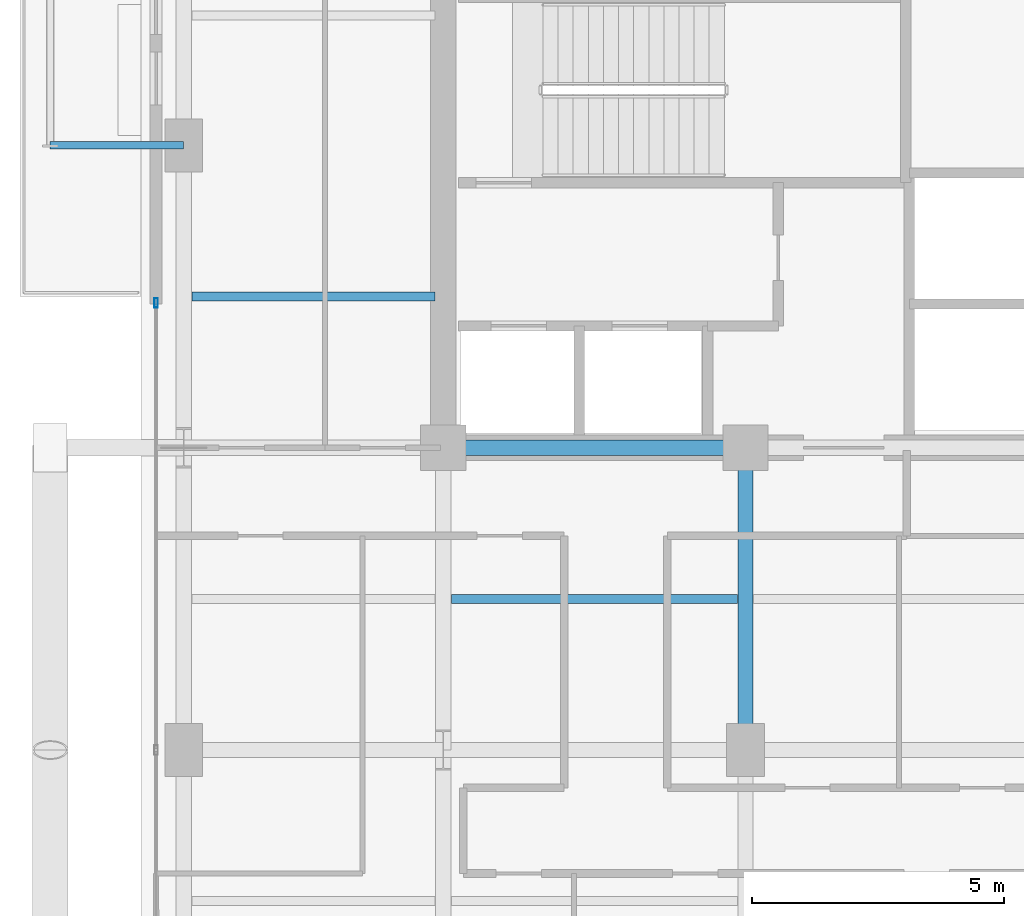
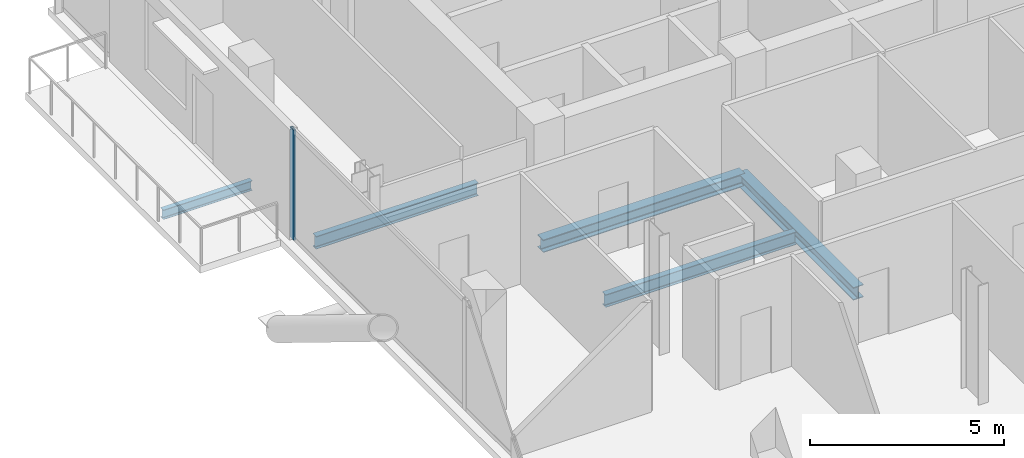
# One storey, part 7 of 26: 5 beams, 1 member, 1 element without a shape of its own.
"""IFC4 building model written with IfcOpenShell, lengths in metres."""

import ifcopenshell
import ifcopenshell.guid

model = None  # the IFC model being written
_history = None  # IfcOwnerHistory: only IFC2X3 demands one
_inside = {}  # id of a spatial element -> (the spatial element, [elements in it])
_under = {}  # id of a project, library or spatial element -> (it, [spatial elements below it])
_declared = {}  # id of a project -> (the project, [libraries it declares])
_typed = {}  # id of a type object -> (the type object, [elements of that type])
_made_of = {}  # id of a material, layer set ... -> (it, [elements and type objects made of it])


def new_model(schema):
    """Start an empty IFC model of exactly this schema.

    Asked for "IFC4X3", IfcOpenShell would pick the latest addendum, in which some entities
    have other attributes; the version numbers below select the first issue.
    IFC2X3 requires an IfcOwnerHistory on every rooted entity: one is made here for all.
    """
    global model, _history
    if schema == "IFC4X3":
        model = ifcopenshell.file(schema_version=(4, 3, 0, 0))
    else:
        model = ifcopenshell.file(schema=schema)
    _inside.clear()
    _under.clear()
    _declared.clear()
    _typed.clear()
    _made_of.clear()
    _history = None
    if model.schema == "IFC2X3":
        org = make("IfcOrganization", Name="unknown")
        user = make(
            "IfcPersonAndOrganization",
            ThePerson=make("IfcPerson", FamilyName="unknown"),
            TheOrganization=org,
        )
        app = make(
            "IfcApplication",
            ApplicationDeveloper=org,
            Version="unknown",
            ApplicationFullName="unknown",
            ApplicationIdentifier="unknown",
        )
        _history = make(
            "IfcOwnerHistory",
            OwningUser=user,
            OwningApplication=app,
            ChangeAction="ADDED",
            CreationDate=0,
        )
    return model


def make(cls, **values):
    """One entity of the class cls with the attributes given. An attribute that is None is left unset."""
    return model.create_entity(
        cls, **{name: value for name, value in values.items() if value is not None}
    )


def rooted(cls, **values):
    """An entity with a GlobalId (a new one), such as an element, a storey or a relation."""
    return make(cls, GlobalId=ifcopenshell.guid.new(), OwnerHistory=_history, **values)


def si_unit(unit_type, name, prefix=None):
    """IfcSIUnit, for example si_unit("LENGTHUNIT", "METRE", prefix="MILLI")."""
    return make("IfcSIUnit", UnitType=unit_type, Prefix=prefix, Name=name)


def assignment(units):
    """IfcUnitAssignment: the units of a project."""
    return None if units is None else make("IfcUnitAssignment", Units=units)


def point(xyz):
    """IfcCartesianPoint."""
    return None if xyz is None else make("IfcCartesianPoint", Coordinates=xyz)


def direction(xyz):
    """IfcDirection."""
    return None if xyz is None else make("IfcDirection", DirectionRatios=xyz)


def frame(location, z_axis=None, x_axis=None):
    """IfcAxis2Placement3D, a coordinate frame: its origin and axes. An axis left out is left unset."""
    return make(
        "IfcAxis2Placement3D",
        Location=point(location),
        Axis=direction(z_axis),
        RefDirection=direction(x_axis),
    )


def frame_2d(location, x_axis=None):
    """IfcAxis2Placement2D, a coordinate frame in the plane: its origin and x axis."""
    return make(
        "IfcAxis2Placement2D", Location=point(location), RefDirection=direction(x_axis)
    )


def origin():
    """The frame at (0, 0, 0) with its axes left unset."""
    return frame((0.0, 0.0, 0.0))


def origin_2d():
    """The frame at (0, 0) in the plane with its x axis left unset."""
    return frame_2d((0.0, 0.0))


def place(relative_to, where):
    """IfcLocalPlacement: puts the frame where relative to a parent placement (None: the world)."""
    return make(
        "IfcLocalPlacement", PlacementRelTo=relative_to, RelativePlacement=where
    )


def context(
    kind, dimensions, precision=None, world=None, true_north=None, identifier=None
):
    """IfcGeometricRepresentationContext, for example the 3D "Model" context."""
    return make(
        "IfcGeometricRepresentationContext",
        ContextIdentifier=identifier,
        ContextType=kind,
        CoordinateSpaceDimension=dimensions,
        Precision=precision,
        WorldCoordinateSystem=world,
        TrueNorth=true_north,
    )


def subcontext(parent, identifier, kind, view, scale=None):
    """IfcGeometricRepresentationSubContext, for example "Body" below "Model"."""
    return make(
        "IfcGeometricRepresentationSubContext",
        ContextIdentifier=identifier,
        ContextType=kind,
        ParentContext=parent,
        TargetScale=scale,
        TargetView=view,
    )


def project(units=None, contexts=None):
    """IfcProject with its units and contexts."""
    return rooted(
        "IfcProject",
        Name="project",
        RepresentationContexts=contexts,
        UnitsInContext=assignment(units),
    )


def spatial(cls, under=None, at=None, **own):
    """A site, building, storey or space (cls), placed at a placement, below another one or the project."""
    s = rooted(cls, ObjectPlacement=at, **own)
    if under is not None:
        _under.setdefault(under.id(), (under, []))[1].append(s)
    return s


def profile(cls, at=None, kind="AREA", **sizes):
    """A parametric profile (cls). Its sizes go by their IFC names, for example OverallWidth=200.0."""
    return make(cls, ProfileType=kind, Position=at, **sizes)


def hollow_rectangle(**sizes):
    """IfcRectangleHollowProfileDef."""
    return profile("IfcRectangleHollowProfileDef", **sizes)


def i_section(**sizes):
    """IfcIShapeProfileDef."""
    return profile("IfcIShapeProfileDef", **sizes)


def extrude(swept, where, along, depth):
    """IfcExtrudedAreaSolid: the profile swept, set in the frame where, extruded along a direction by depth."""
    return make(
        "IfcExtrudedAreaSolid",
        SweptArea=swept,
        Position=where,
        ExtrudedDirection=direction(along),
        Depth=depth,
    )


def shape(context_of_items, identifier, shape_type, items):
    """IfcShapeRepresentation: the items that make up one representation, for example the "Body"."""
    return make(
        "IfcShapeRepresentation",
        ContextOfItems=context_of_items,
        RepresentationIdentifier=identifier,
        RepresentationType=shape_type,
        Items=items,
    )


def material(Name=None, Category=None):
    """IfcMaterial."""
    return make("IfcMaterial", Name=Name, Category=Category)


def layer(
    of_material, thickness, ventilated=None, Name=None, Category=None, Priority=None
):
    """IfcMaterialLayer: one layer of a wall or slab, of a material (None: an air gap)."""
    return make(
        "IfcMaterialLayer",
        Material=of_material,
        LayerThickness=thickness,
        IsVentilated=ventilated,
        Name=Name,
        Category=Category,
        Priority=Priority,
    )


def layer_set(layers, Name=None):
    """IfcMaterialLayerSet."""
    return make("IfcMaterialLayerSet", MaterialLayers=layers, LayerSetName=Name)


def material_profile(
    of_material, cross_section, Name=None, Category=None, Priority=None
):
    """IfcMaterialProfile: a cross section and its material."""
    return make(
        "IfcMaterialProfile",
        Name=Name,
        Material=of_material,
        Profile=cross_section,
        Priority=Priority,
        Category=Category,
    )


def profile_set(profiles, Name=None, composite=None):
    """IfcMaterialProfileSet."""
    return make(
        "IfcMaterialProfileSet",
        Name=Name,
        MaterialProfiles=profiles,
        CompositeProfile=composite,
    )


def made_of(thing, what):
    """Note that an element or type object is made of a material, layer set ...; save() writes the relation."""
    if what is not None:
        _made_of.setdefault(what.id(), (what, []))[1].append(thing)
    return thing


def type_object(cls, material=None, **own):
    """A type object (cls), such as IfcWallType, which elements share."""
    return made_of(rooted(cls, **own), material)


def element(
    cls,
    number,
    at=None,
    inside=None,
    cuts=None,
    type_object=None,
    material=None,
    context=None,
    identifier="Body",
    shape_type=None,
    held_by="IfcProductDefinitionShape",
    body=None,
    shapes=None,
    **own,
):
    """One element of the class cls, such as IfcWall. Its Tag is "e" and its number.

    at: its placement. inside: the storey or other place that contains it. cuts: it is an
    opening in that element (IfcRelVoidsElement). A single representation is given by context,
    identifier, shape_type and body (its items); several are given by shapes. held_by: the class
    of the entity that holds the representations. save() writes the other relations.
    """
    e = rooted(cls, Tag="e%d" % number, ObjectPlacement=at, **own)
    if body is not None:
        shapes = [shape(context, identifier, shape_type, body)]
    if shapes is not None:
        e.Representation = make(held_by, Representations=shapes)
    if inside is not None:
        _inside.setdefault(inside.id(), (inside, []))[1].append(e)
    if cuts is not None:
        rooted(
            "IfcRelVoidsElement", RelatingBuildingElement=cuts, RelatedOpeningElement=e
        )
    if type_object is not None:
        _typed.setdefault(type_object.id(), (type_object, []))[1].append(e)
    return made_of(e, material)


def aggregate(whole, parts):
    """IfcRelAggregates: a whole, such as a stair, and the parts it consists of."""
    return rooted("IfcRelAggregates", RelatingObject=whole, RelatedObjects=parts)


def save(model, path):
    """Write the relations noted so far, then the file.

    IfcRelAggregates (storeys below a building ...), IfcRelContainedInSpatialStructure (elements
    in a storey), IfcRelDefinesByType, IfcRelAssociatesMaterial and IfcRelDeclares: one each for
    every whole, place, type object, material and project.
    """
    for whole, parts in _under.values():
        aggregate(whole, parts)
    for where, things in _inside.values():
        rooted(
            "IfcRelContainedInSpatialStructure",
            RelatedElements=things,
            RelatingStructure=where,
        )
    for kind, things in _typed.values():
        rooted("IfcRelDefinesByType", RelatedObjects=things, RelatingType=kind)
    for what, things in _made_of.values():
        rooted("IfcRelAssociatesMaterial", RelatedObjects=things, RelatingMaterial=what)
    for by, libraries in _declared.values():
        rooted("IfcRelDeclares", RelatingContext=by, RelatedDefinitions=libraries)
    model.write(path)


model = new_model("IFC4")

# Units and contexts
model_context = context("Model", 3, precision=1e-05, world=origin(), true_north=direction((0.0, 1.0)))
body_context = subcontext(model_context, "Body", "Model", "MODEL_VIEW")
ifc_project = project(units=[si_unit("LENGTHUNIT", "METRE"), si_unit("AREAUNIT", "SQUARE_METRE"), si_unit("VOLUMEUNIT", "CUBIC_METRE"), si_unit("PLANEANGLEUNIT", "RADIAN"), si_unit("MASSUNIT", "GRAM", prefix="KILO"), si_unit("THERMODYNAMICTEMPERATUREUNIT", "KELVIN"), si_unit("POWERUNIT", "WATT")], contexts=[model_context])

# Site, building, storey
site_placement = place(None, origin())
site = spatial("IfcSite", under=ifc_project, at=site_placement, CompositionType="ELEMENT")
building_placement = place(site_placement, origin())
building = spatial("IfcBuilding", under=site, at=building_placement, Name="Svarakhadi Broadcast Tower", CompositionType="ELEMENT")
storey_placement = place(building_placement, frame((0.0, 0.0, 195.449951171875)))
storey = spatial("IfcBuildingStorey", under=building, at=storey_placement, Name="L48", CompositionType="ELEMENT", Elevation=195.449951171875)

# Beams
ifc_material_1 = material(Name="Steel S355J2 (IS 2062 E350C)", Category="steel")
ifc_material_profile_1 = material_profile(ifc_material_1, i_section(OverallWidth=0.179931640625, OverallDepth=0.39990234375, WebThickness=0.008544921875, FlangeThickness=0.013427734375, FilletRadius=0.02099609375, at=origin_2d()), Name="NPB 400x180x66")
ifc_profile_set_1 = profile_set([ifc_material_profile_1], Name="Steel S355J2 (IS 2062 E350C)")
beam_type_1 = type_object("IfcBeamType", Name="Beam_NPB400", PredefinedType="BEAM", material=ifc_profile_set_1)
beam_1_placement = place(storey_placement, frame((1.010009765625, 21.0, -0.409912109375), z_axis=(1.0, 0.0, 0.0), x_axis=(0.0, 1.0, 0.0)))
element("IfcBeam", 1, at=beam_1_placement, inside=storey, type_object=beam_type_1, Name="L48 Secondary Composite Beam SB003", PredefinedType="BEAM", context=body_context, shape_type="SweptSolid", body=[
    extrude(i_section(OverallWidth=0.179931640625, OverallDepth=0.39990234375, WebThickness=0.008544921875, FlangeThickness=0.013427734375, FilletRadius=0.02099609375, at=origin_2d()), origin(), (0.0, 0.0, 1.0), 4.830078125),
])
beam_2_placement = place(storey_placement, frame((6.159912109375, 15.0, -0.409912109375), z_axis=(1.0, 0.0, 0.0), x_axis=(0.0, 1.0, 0.0)))
element("IfcBeam", 2, at=beam_2_placement, inside=storey, type_object=beam_type_1, Name="L48 Secondary Composite Beam SB007", PredefinedType="BEAM", context=body_context, shape_type="SweptSolid", body=[
    extrude(i_section(OverallWidth=0.179931640625, OverallDepth=0.39990234375, WebThickness=0.008544921875, FlangeThickness=0.013427734375, FilletRadius=0.02099609375, at=origin_2d()), origin(), (0.0, 0.0, 1.0), 5.68017578125),
])

# Curtain wall, member
ifc_material_2 = material(Name="Anodised Bronze Aluminium AA 6063-T6", Category="aluminium")
ifc_layer = layer(ifc_material_2, 0.18994140625)
ifc_layer_set = layer_set([ifc_layer], Name="Anodised Bronze Aluminium AA 6063-T6")
curtain_wall_type = type_object("IfcCurtainWallType", Name="CW_Sys_04", PredefinedType="NOTDEFINED", material=ifc_layer_set)
curtain_wall_placement = place(storey_placement, origin())
curtain_wall = element("IfcCurtainWall", 3, at=curtain_wall_placement, inside=storey, type_object=curtain_wall_type, Name="L48 West Curtain Wall 02", PredefinedType="NOTDEFINED")
ifc_material_profile_2 = material_profile(ifc_material_2, hollow_rectangle(XDim=0.070068359375, YDim=0.18994140625, WallThickness=0.005615234375, at=origin_2d()), Name="ALU MULLION 190x70x6")
ifc_profile_set_2 = profile_set([ifc_material_profile_2], Name="Anodised Bronze Aluminium AA 6063-T6")
member_type = type_object("IfcMemberType", Name="CW_Sys_04_Mul", PredefinedType="MULLION", material=ifc_profile_set_2)
member_placement = place(storey_placement, frame((0.300048828125, 20.875, 0.0), z_axis=(0.0, 0.0, 1.0), x_axis=(-1.0, 0.0, 0.0)))
member = element("IfcMember", 4, at=member_placement, type_object=member_type, Name="CW-04 mullion 3", PredefinedType="MULLION", context=body_context, shape_type="SweptSolid", body=[
    extrude(hollow_rectangle(XDim=0.070068359375, YDim=0.18994140625, WallThickness=0.005615234375, at=origin_2d()), origin(), (0.0, 0.0, 1.0), 3.47509765625),
])
aggregate(curtain_wall, [member])

# Beams
ifc_material_profile_3 = material_profile(ifc_material_1, i_section(OverallWidth=0.300048828125, OverallDepth=0.39990234375, WebThickness=0.013427734375, FlangeThickness=0.02392578125, FilletRadius=0.027099609375, at=origin_2d()), Name="WPB 400x300x155")
ifc_profile_set_3 = profile_set([ifc_material_profile_3], Name="Steel S355J2 (IS 2062 E350C)")
beam_type_2 = type_object("IfcBeamType", Name="Girder_WPB400", PredefinedType="USERDEFINED", material=ifc_profile_set_3)
for number, where, z_axis, x_axis, name in (
    (5, (6.0, 18.0, -0.409912109375), (1.0, 0.0, 0.0), (0.0, 1.0, 0.0), "L48 Primary E-W Girder G021"),
    (6, (12.0, 12.0, -0.409912109375), (0.0, 1.0, 0.0), (-1.0, 0.0, 0.0), "L48 Primary N-S Girder G044"),
):
    element("IfcBeam", number, at=place(storey_placement, frame(where, z_axis=z_axis, x_axis=x_axis)), inside=storey, type_object=beam_type_2, Name=name, ObjectType="GIRDER", PredefinedType="USERDEFINED", context=body_context, shape_type="SweptSolid", body=[
        extrude(i_section(OverallWidth=0.300048828125, OverallDepth=0.39990234375, WebThickness=0.013427734375, FlangeThickness=0.02392578125, FilletRadius=0.027099609375, at=origin_2d()), origin(), (0.0, 0.0, 1.0), 6.0),
    ])
ifc_material_profile_4 = material_profile(ifc_material_1, i_section(OverallWidth=0.14990234375, OverallDepth=0.300048828125, WebThickness=0.007080078125, FlangeThickness=0.0107421875, FilletRadius=0.014892578125, at=origin_2d()), Name="NPB 300x150x37")
ifc_profile_set_4 = profile_set([ifc_material_profile_4], Name="Steel S355J2 (IS 2062 E350C)")
beam_type_3 = type_object("IfcBeamType", Name="Spandrel_NPB300", PredefinedType="SPANDREL", material=ifc_profile_set_4)
beam_3_placement = place(storey_placement, frame((0.85009765625, 24.0, -0.375), z_axis=(-1.0, 0.0, 0.0), x_axis=(0.0, -1.0, 0.0)))
element("IfcBeam", 7, at=beam_3_placement, inside=storey, type_object=beam_type_3, Name="L48 Balcony Cantilever Bracket 2A", PredefinedType="SPANDREL", context=body_context, shape_type="SweptSolid", body=[
    extrude(i_section(OverallWidth=0.14990234375, OverallDepth=0.300048828125, WebThickness=0.007080078125, FlangeThickness=0.0107421875, FilletRadius=0.014892578125, at=origin_2d()), origin(), (0.0, 0.0, 1.0), 2.650146484375),
])

save(model, "model.ifc")
